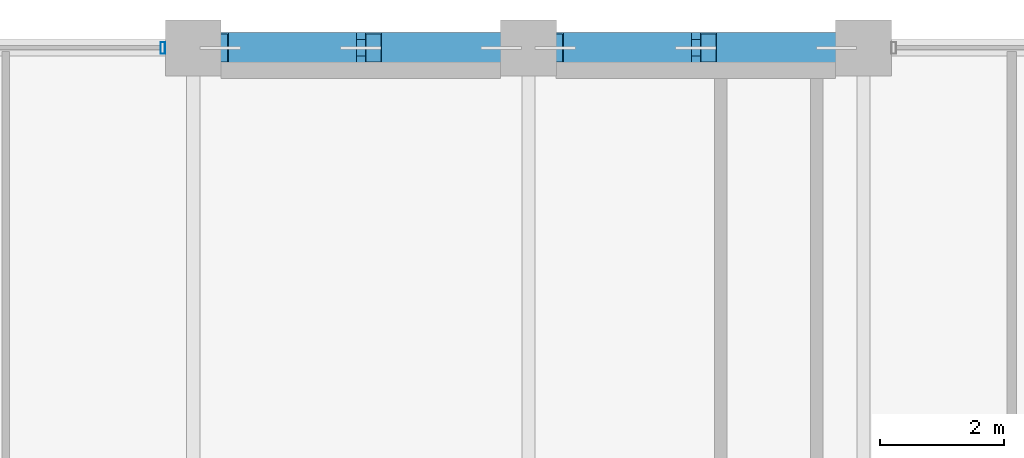
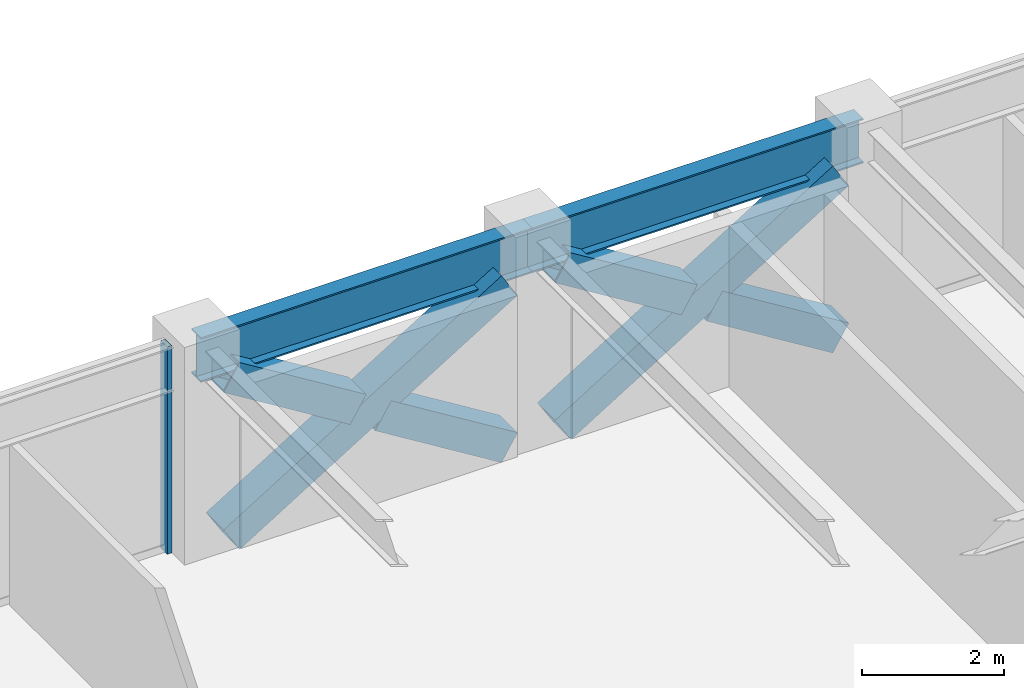
# One storey, part 21 of 32: 7 members, 2 beams, 1 element without a shape of its own.
"""IFC4 building model written with IfcOpenShell, lengths in metres."""

from ifc_helpers import new_model, si_unit, direction, frame, origin, origin_2d, place, context, subcontext, project, spatial, hollow_rectangle, i_section, extrude, material, layer, layer_set, material_profile, profile_set, type_object, element, aggregate, save


model = new_model("IFC4")

# Units and contexts
model_context = context("Model", 3, precision=1e-05, world=origin(), true_north=direction((0.0, 1.0)))
body_context = subcontext(model_context, "Body", "Model", "MODEL_VIEW")
ifc_project = project(units=[si_unit("LENGTHUNIT", "METRE"), si_unit("AREAUNIT", "SQUARE_METRE"), si_unit("VOLUMEUNIT", "CUBIC_METRE"), si_unit("PLANEANGLEUNIT", "RADIAN"), si_unit("MASSUNIT", "GRAM", prefix="KILO")], contexts=[model_context])

# Site, building, storey
site_placement = place(None, origin())
site = spatial("IfcSite", under=ifc_project, at=site_placement, CompositionType="ELEMENT")
building_placement = place(site_placement, origin())
building = spatial("IfcBuilding", under=site, at=building_placement, Name="Surkhivell Harbour Commons", CompositionType="ELEMENT")
storey_placement = place(building_placement, frame((0.0, 0.0, 201.0)))
storey = spatial("IfcBuildingStorey", under=building, at=storey_placement, Name="L52", CompositionType="ELEMENT", Elevation=201.0)

# Beams
ifc_material_1 = material(Name="Steel S355", Category="steel")
ifc_material_profile_1 = material_profile(ifc_material_1, i_section(OverallWidth=0.26806640625, OverallDepth=0.77001953125, WebThickness=0.015625, FlangeThickness=0.025390625, at=origin_2d()), Name="UB762x267x197")
ifc_profile_set_1 = profile_set([ifc_material_profile_1], Name="Steel S355")
beam_type = type_object("IfcBeamType", Name="BM-SPN-762", PredefinedType="SPANDREL", material=ifc_profile_set_1)
for number, where, z_axis, x_axis, name in (
    (1, (-5.39990234375, 25.89990234375, 3.18505859375), (1.0, 0.0, 0.0), (0.0, 1.0, 0.0), "L52 Tube Spandrel (-5.4,25.9)"),
    (2, (0.0, 25.89990234375, 3.18505859375), (1.0, 0.0, 0.0), (0.0, 1.0, 0.0), "L52 Tube Spandrel (-0.0,25.9)"),
):
    element("IfcBeam", number, at=place(storey_placement, frame(where, z_axis=z_axis, x_axis=x_axis)), inside=storey, type_object=beam_type, Name=name, PredefinedType="SPANDREL", context=body_context, shape_type="SweptSolid", body=[
        extrude(i_section(OverallWidth=0.26806640625, OverallDepth=0.77001953125, WebThickness=0.015625, FlangeThickness=0.025390625, at=origin_2d()), origin(), (0.0, 0.0, 1.0), 5.39990234375),
    ])

# Curtain wall, member
ifc_material_2 = material(Name="Anodised pale-metal aluminium and insulated glazing", Category="aluminium")
ifc_layer = layer(ifc_material_2, 0.18994140625)
ifc_layer_set = layer_set([ifc_layer], Name="Anodised pale-metal aluminium and insulated glazing")
curtain_wall_type = type_object("IfcCurtainWallType", Name="CW-SYS-Z3", PredefinedType="NOTDEFINED", material=ifc_layer_set)
curtain_wall_placement = place(storey_placement, origin())
curtain_wall = element("IfcCurtainWall", 3, at=curtain_wall_placement, inside=storey, type_object=curtain_wall_type, Name="L52 Curtain Wall CW-L52-E07S2", PredefinedType="NOTDEFINED")
ifc_material_3 = material(Name="Anodised pale-metal aluminium alloy 6063-T6", Category="aluminium")
ifc_material_profile_2 = material_profile(ifc_material_3, hollow_rectangle(XDim=0.074951171875, YDim=0.18994140625, WallThickness=0.00390625, at=origin_2d()), Name="ALU-MULL-75x190")
ifc_profile_set_2 = profile_set([ifc_material_profile_2], Name="Anodised pale-metal aluminium alloy 6063-T6")
member_type_1 = type_object("IfcMemberType", Name="CWM-190", PredefinedType="MULLION", material=ifc_profile_set_2)
member_1_placement = place(storey_placement, frame((-5.889404296875, 25.89990234375, 0.0), z_axis=(0.0, 0.0, 1.0), x_axis=(-1.0, 0.0, 0.0)))
member_1 = element("IfcMember", 4, at=member_1_placement, type_object=member_type_1, Name="CW-Z3 mullion 1", PredefinedType="MULLION", context=body_context, shape_type="SweptSolid", body=[
    extrude(hollow_rectangle(XDim=0.074951171875, YDim=0.18994140625, WallThickness=0.00390625, at=origin_2d()), origin(), (0.0, 0.0, 1.0), 3.570068359375),
])
aggregate(curtain_wall, [member_1])

# Members
ifc_material_4 = material(Name="Steel S460", Category="steel")
ifc_material_profile_3 = material_profile(ifc_material_4, hollow_rectangle(XDim=0.5, YDim=0.5, WallThickness=0.02490234375, at=origin_2d()), Name="SHS500x500x25")
ifc_profile_set_3 = profile_set([ifc_material_profile_3], Name="Steel S460")
member_type_2 = type_object("IfcMemberType", Name="MEM-BRC-SHS500", PredefinedType="BRACE", material=ifc_profile_set_3)
member_2_placement = place(storey_placement, frame((-4.965087890625, 25.89990234375, 0.008056640625), z_axis=(0.850971032488, 0.0, 0.525212625387), x_axis=(0.0, 1.0, 0.0)))
element("IfcMember", 5, at=member_2_placement, inside=storey, type_object=member_type_2, Name="L52 Perimeter Mega-Brace MB- 01", PredefinedType="BRACE", context=body_context, shape_type="SweptSolid", body=[
    extrude(hollow_rectangle(XDim=0.5, YDim=0.5, WallThickness=0.02490234375, at=origin_2d()), origin(), (0.0, 0.0, 1.0), 5.323486328125),
])
for number, where, z_axis, x_axis, name in (
    (6, (-0.43505859375, 25.89990234375, 0.008056640625), (-0.8510034189, 0.0, 0.525160147974), (0.0, -1.0, 0.0), "L52 Perimeter Mega-Brace MB- 02"),
    (7, (-2.904296875, 25.89990234375, 1.531982421875), (-0.850958361341, 0.0, 0.525233155146), (0.0, -1.0, 0.0), "L52 Perimeter Mega-Brace MB- 03"),
):
    element("IfcMember", number, at=place(storey_placement, frame(where, z_axis=z_axis, x_axis=x_axis)), inside=storey, type_object=member_type_2, Name=name, PredefinedType="BRACE", context=body_context, shape_type="SweptSolid", body=[
        extrude(hollow_rectangle(XDim=0.5, YDim=0.5, WallThickness=0.02490234375, at=origin_2d()), origin(), (0.0, 0.0, 1.0), 2.421630859375),
    ])
member_3_placement = place(storey_placement, frame((0.43505859375, 25.89990234375, 0.008056640625), z_axis=(0.850971032488, 0.0, 0.525212625387), x_axis=(0.0, 1.0, 0.0)))
element("IfcMember", 8, at=member_3_placement, inside=storey, type_object=member_type_2, Name="L52 Perimeter Mega-Brace MB- 04", PredefinedType="BRACE", context=body_context, shape_type="SweptSolid", body=[
    extrude(hollow_rectangle(XDim=0.5, YDim=0.5, WallThickness=0.02490234375, at=origin_2d()), origin(), (0.0, 0.0, 1.0), 5.323486328125),
])
for number, where, z_axis, x_axis, name in (
    (9, (4.965087890625, 25.89990234375, 0.008056640625), (-0.8510034189, 0.0, 0.525160147974), (0.0, -1.0, 0.0), "L52 Perimeter Mega-Brace MB- 05"),
    (10, (2.495849609375, 25.89990234375, 1.531982421875), (-0.850958361341, 0.0, 0.525233155146), (0.0, -1.0, 0.0), "L52 Perimeter Mega-Brace MB- 06"),
):
    element("IfcMember", number, at=place(storey_placement, frame(where, z_axis=z_axis, x_axis=x_axis)), inside=storey, type_object=member_type_2, Name=name, PredefinedType="BRACE", context=body_context, shape_type="SweptSolid", body=[
        extrude(hollow_rectangle(XDim=0.5, YDim=0.5, WallThickness=0.02490234375, at=origin_2d()), origin(), (0.0, 0.0, 1.0), 2.421630859375),
    ])

save(model, "model.ifc")
